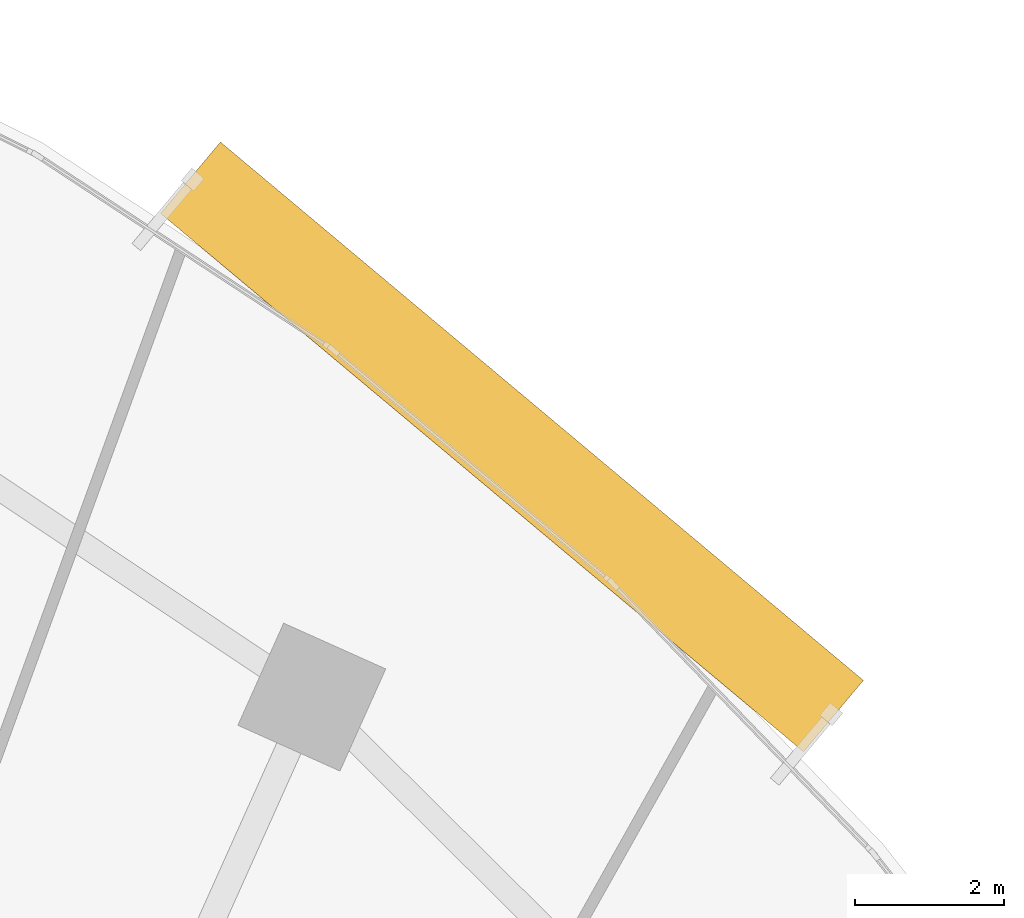
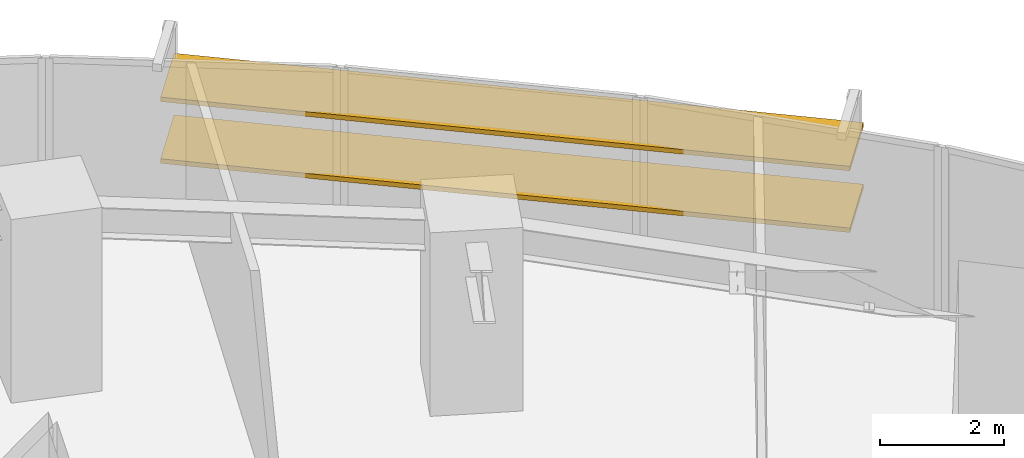
# One storey, part 17 of 17: 2 shading devices.
"""IFC4 building model written with IfcOpenShell, lengths in metres."""

from ifc_helpers import new_model, si_unit, direction, frame, origin, origin_2d, place, context, subcontext, project, spatial, rectangle, extrude, source, transform, mapped, material, material_profile, profile_set, type_object, element, save


model = new_model("IFC4")

# Units and contexts
model_context = context("Model", 3, precision=1e-05, world=origin(), true_north=direction((0.0, 1.0)))
body_context = subcontext(model_context, "Body", "Model", "MODEL_VIEW")
ifc_project = project(units=[si_unit("LENGTHUNIT", "METRE"), si_unit("AREAUNIT", "SQUARE_METRE"), si_unit("VOLUMEUNIT", "CUBIC_METRE"), si_unit("PLANEANGLEUNIT", "RADIAN"), si_unit("MASSUNIT", "GRAM", prefix="KILO")], contexts=[model_context])

# Site, building, storey
site_placement = place(None, origin())
site = spatial("IfcSite", under=ifc_project, at=site_placement, CompositionType="ELEMENT")
building_placement = place(site_placement, origin())
building = spatial("IfcBuilding", under=site, at=building_placement, Name="Breltana Convention Tower", CompositionType="ELEMENT")
storey_placement = place(building_placement, frame((0.0, 0.0, 53.39990234375)))
storey = spatial("IfcBuildingStorey", under=building, at=storey_placement, Name="L11", CompositionType="ELEMENT", Elevation=53.39990234375)

# Shading devices
ifc_material = material(Name="Limestone Warm Buff Honed", Category="masonry")
ifc_material_profile = material_profile(ifc_material, rectangle(XDim=1.25, YDim=0.090087890625, at=origin_2d()), Name="STN-LVR-1250X90")
ifc_profile_set = profile_set([ifc_material_profile], Name="Limestone Warm Buff Honed")
shading_device_type = type_object("IfcShadingDeviceType", Name="SHD-OUTER-SKIN-LIMESTONE-1250", PredefinedType="JALOUSIE", material=ifc_profile_set)
shared_shape = source(origin(), body_context, "Body", "SweptSolid", [
    extrude(rectangle(XDim=1.25, YDim=0.090087890625, at=origin_2d()), origin(), (0.0, 0.0, 1.0), 11.246337890625),
])
for number, where, z_axis, x_axis, name in (
    (1, (67.28369140625, 75.598388671875, 1.209716796875), (0.766719155588, -0.641982660556, 0.0), (0.641982660556, 0.766719155588, 0.0), "L11 outer skin warm limestone louvre 2.1"),
    (2, (67.28369140625, 75.598388671875, 2.419189453125), (0.766719155588, -0.641982660556, 0.0), (0.641982660556, 0.766719155588, 0.0), "L11 outer skin warm limestone louvre 2.2"),
):
    element("IfcShadingDevice", number, at=place(storey_placement, frame(where, z_axis=z_axis, x_axis=x_axis)), inside=storey, type_object=shading_device_type, Name=name, PredefinedType="JALOUSIE", context=body_context, shape_type="MappedRepresentation", body=[
        mapped(shared_shape, transform((0.0, 0.0, 0.0), scale=1.0)),
    ])

save(model, "model.ifc")
